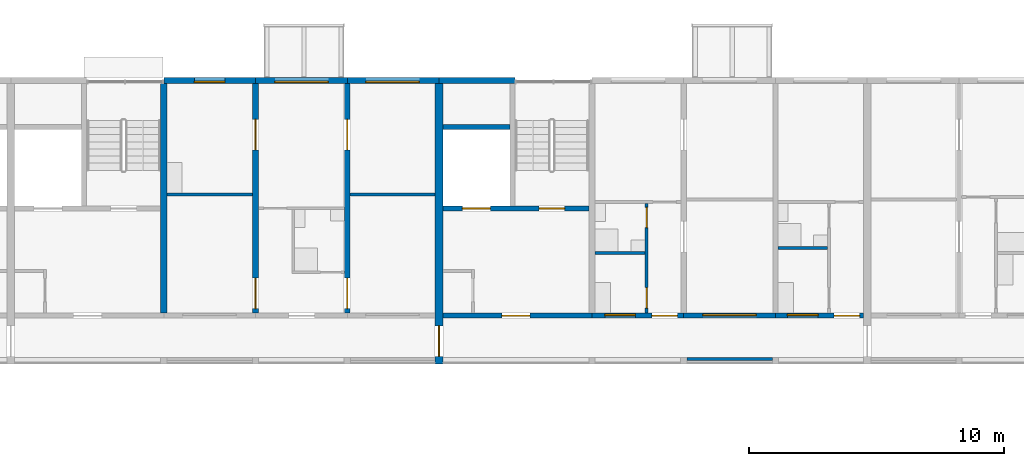
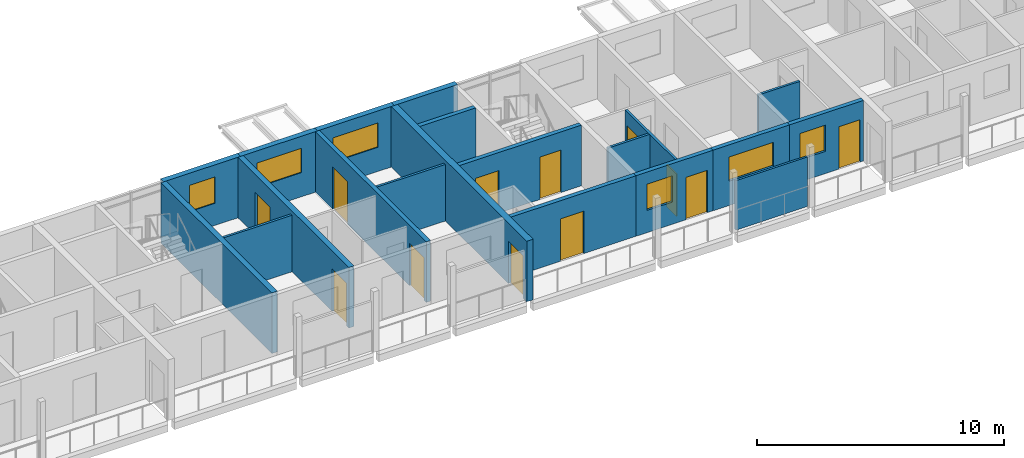
# One storey, part 62 of 122: 20 walls, 12 doors, 6 windows, 18 openings.
"""IFC4 building model written with IfcOpenShell, lengths in metres."""

from ifc_helpers import new_model, si_unit, direction, frame, frame_2d, origin, place, context, subcontext, project, spatial, rectangle, extrude, material, layer, layer_set, type_object, element, fill, save


model = new_model("IFC4")

# Units and contexts
model_context = context("Model", 3, precision=1e-05, world=origin(), true_north=direction((0.0, 1.0)))
body_context = subcontext(model_context, "Body", "Model", "MODEL_VIEW")
ifc_project = project(units=[si_unit("LENGTHUNIT", "METRE"), si_unit("AREAUNIT", "SQUARE_METRE"), si_unit("VOLUMEUNIT", "CUBIC_METRE"), si_unit("PLANEANGLEUNIT", "RADIAN"), si_unit("MASSUNIT", "GRAM", prefix="KILO")], contexts=[model_context])

# Site, building, storey
site_placement = place(None, origin())
site = spatial("IfcSite", under=ifc_project, at=site_placement, CompositionType="ELEMENT")
building_placement = place(site_placement, origin())
building = spatial("IfcBuilding", under=site, at=building_placement, Name="Ridgestep Commons", CompositionType="ELEMENT")
storey_placement = place(building_placement, frame((0.0, 0.0, 3.0)))
storey = spatial("IfcBuildingStorey", under=building, at=storey_placement, Name="L01", CompositionType="ELEMENT", Elevation=3.0)

# Wall
ifc_material_1 = material(Name="Concrete C30/37", Category="concrete")
ifc_layer_1 = layer(ifc_material_1, 0.25)
ifc_layer_set_1 = layer_set([ifc_layer_1], Name="Core cross wall 250")
wall_type_1 = type_object("IfcWallType", Name="Core cross wall 250", PredefinedType="SHEAR", material=ifc_layer_set_1)
wall_1_placement = place(storey_placement, frame((34.800048828125, 68.0, 0.0), z_axis=(0.0, 0.0, 1.0), x_axis=(0.0, 1.0, 0.0)))
element("IfcWall", 1, at=wall_1_placement, inside=storey, type_object=wall_type_1, Name="Cross wall B-01-0348", PredefinedType="SHEAR", context=body_context, shape_type="SweptSolid", body=[
    extrude(rectangle(XDim=9.0, YDim=0.25, at=frame_2d((4.5, 0.0))), origin(), (0.0, 0.0, 1.0), 3.0),
])

# Wall, opening, door
ifc_material_2 = material(Name="Concrete C30/37", Category="concrete")
ifc_layer_2 = layer(ifc_material_2, 0.199951171875)
ifc_layer_set_2 = layer_set([ifc_layer_2], Name="Core south wall 200")
wall_type_2 = type_object("IfcWallType", Name="Core south wall 200", PredefinedType="SHEAR", material=ifc_layer_set_2)
wall_2_placement = place(storey_placement, frame((45.75, 67.89990234375, 0.0), z_axis=(0.0, 0.0, 1.0), x_axis=(1.0, 0.0, 0.0)))
wall_2 = element("IfcWall", 2, at=wall_2_placement, inside=storey, type_object=wall_type_2, Name="Core south wall B3C L01", PredefinedType="SHEAR", context=body_context, shape_type="SweptSolid", body=[
    extrude(rectangle(XDim=5.85009765625, YDim=0.199951171875, at=frame_2d((2.925048828125, 0.0))), origin(), (0.0, 0.0, 1.0), 3.0),
])
opening_1_placement = place(wall_2_placement, frame((2.3125, 0.0, 0.0)))
opening_1 = element("IfcOpeningElement", 3, at=opening_1_placement, cuts=wall_2, Name="Opening B3C/01/1", PredefinedType="OPENING", context=body_context, shape_type="SweptSolid", body=[
    extrude(rectangle(XDim=1.10009765625, YDim=2.10009765625, at=frame_2d((0.550048828125, 1.050048828125))), frame((0.0, 0.10986328125, 0.0), z_axis=(0.0, -1.0, 0.0), x_axis=(1.0, 0.0, 0.0)), (0.0, 0.0, 1.0), 0.219970703125),
])
ifc_material_3 = material(Name="Steel fire door", Category="steel")
door_type_1 = type_object("IfcDoorType", Name="Lobby door 1100 x 2100 FD60", OperationType="NOTDEFINED", PredefinedType="DOOR", material=ifc_material_3)
door_1_placement = place(opening_1_placement, origin())
door_1 = element("IfcDoor", 4, at=door_1_placement, inside=storey, type_object=door_type_1, Name="Lobby door B3C/01/1", OperationType="SINGLE_SWING_LEFT", OverallHeight=2.10009765625, OverallWidth=1.10009765625, PredefinedType="DOOR", context=body_context, shape_type="SweptSolid", body=[
    extrude(rectangle(XDim=1.10009765625, YDim=2.10009765625, at=frame_2d((0.550048828125, 1.050048828125))), frame((0.0, 0.02490234375, 0.0), z_axis=(0.0, -1.0, 0.0), x_axis=(1.0, 0.0, 0.0)), (0.0, 0.0, 1.0), 0.050048828125),
])
fill(opening_1, door_1)

# Wall, openings, doors
ifc_material_4 = material(Name="Concrete C30/37", Category="concrete")
ifc_layer_3 = layer(ifc_material_4, 0.199951171875)
ifc_layer_set_3 = layer_set([ifc_layer_3], Name="Core wall 200")
wall_type_3 = type_object("IfcWallType", Name="Core wall 200", PredefinedType="SHEAR", material=ifc_layer_set_3)
wall_3_placement = place(storey_placement, frame((45.75, 72.10009765625, 0.0), z_axis=(0.0, 0.0, 1.0), x_axis=(1.0, 0.0, 0.0)))
wall_3 = element("IfcWall", 5, at=wall_3_placement, inside=storey, type_object=wall_type_3, Name="Core lobby wall B3C L01", PredefinedType="SHEAR", context=body_context, shape_type="SweptSolid", body=[
    extrude(rectangle(XDim=5.72509765625, YDim=0.199951171875, at=frame_2d((2.862548828125, 0.0))), origin(), (0.0, 0.0, 1.0), 3.0),
])
opening_2_placement = place(wall_3_placement, frame((3.77490234375, 0.0, 0.0)))
opening_2 = element("IfcOpeningElement", 6, at=opening_2_placement, cuts=wall_3, Name="Opening B3C/01/2", PredefinedType="OPENING", context=body_context, shape_type="SweptSolid", body=[
    extrude(rectangle(XDim=1.0, YDim=2.10009765625, at=frame_2d((0.5, 1.050048828125))), frame((0.0, 0.10986328125, 0.0), z_axis=(0.0, -1.0, 0.0), x_axis=(1.0, 0.0, 0.0)), (0.0, 0.0, 1.0), 0.219970703125),
])
opening_3_placement = place(wall_3_placement, frame((0.762451171875, 0.0, 0.0)))
opening_3 = element("IfcOpeningElement", 7, at=opening_3_placement, cuts=wall_3, Name="Opening B3C/01/3", PredefinedType="OPENING", context=body_context, shape_type="SweptSolid", body=[
    extrude(rectangle(XDim=1.10009765625, YDim=2.10009765625, at=frame_2d((0.550048828125, 1.050048828125))), frame((0.0, 0.10986328125, 0.0), z_axis=(0.0, -1.0, 0.0), x_axis=(1.0, 0.0, 0.0)), (0.0, 0.0, 1.0), 0.219970703125),
])
ifc_material_5 = material(Name="Stainless steel", Category="steel")
door_type_2 = type_object("IfcDoorType", Name="Lift landing door 1100 x 2100 FD60", OperationType="DOUBLE_DOOR_SLIDING", PredefinedType="DOOR", material=ifc_material_5)
door_2_placement = place(opening_3_placement, origin())
door_2 = element("IfcDoor", 8, at=door_2_placement, inside=storey, type_object=door_type_2, Name="Landing door LD B3C L01", OperationType="DOUBLE_DOOR_SLIDING", OverallHeight=2.10009765625, OverallWidth=1.10009765625, PredefinedType="DOOR", context=body_context, shape_type="SweptSolid", body=[
    extrude(rectangle(XDim=1.10009765625, YDim=2.10009765625, at=frame_2d((0.550048828125, 1.050048828125))), frame((0.0, 0.02490234375, 0.0), z_axis=(0.0, -1.0, 0.0), x_axis=(1.0, 0.0, 0.0)), (0.0, 0.0, 1.0), 0.050048828125),
])
fill(opening_3, door_2)
ifc_material_6 = material(Name="Steel fire door", Category="steel")
door_type_3 = type_object("IfcDoorType", Name="Stair door 1000 x 2100 FD60", OperationType="NOTDEFINED", PredefinedType="DOOR", material=ifc_material_6)
door_3_placement = place(opening_2_placement, origin())
door_3 = element("IfcDoor", 9, at=door_3_placement, inside=storey, type_object=door_type_3, Name="Stair door B3C/01/2", OperationType="SINGLE_SWING_RIGHT", OverallHeight=2.10009765625, OverallWidth=1.0, PredefinedType="DOOR", context=body_context, shape_type="SweptSolid", body=[
    extrude(rectangle(XDim=1.0, YDim=2.10009765625, at=frame_2d((0.5, 1.050048828125))), frame((0.0, 0.02490234375, 0.0), z_axis=(0.0, -1.0, 0.0), x_axis=(1.0, 0.0, 0.0)), (0.0, 0.0, 1.0), 0.050048828125),
])
fill(opening_2, door_3)

# Wall
wall_4_placement = place(storey_placement, frame((45.75, 75.300048828125, 0.0), z_axis=(0.0, 0.0, 1.0), x_axis=(1.0, 0.0, 0.0)))
element("IfcWall", 10, at=wall_4_placement, inside=storey, type_object=wall_type_3, Name="Core duct wall B3C L01", PredefinedType="SHEAR", context=body_context, shape_type="SweptSolid", body=[
    extrude(rectangle(XDim=2.625, YDim=0.199951171875, at=frame_2d((1.3125, 0.0))), origin(), (0.0, 0.0, 1.0), 3.0),
])

# Wall, openings, doors
ifc_material_7 = material(Name="Precast concrete C40/50", Category="concrete")
ifc_layer_4 = layer(ifc_material_7, 0.199951171875)
ifc_layer_set_4 = layer_set([ifc_layer_4], Name="Cross wall 200")
wall_type_4 = type_object("IfcWallType", Name="Cross wall 200", PredefinedType="SHEAR", material=ifc_layer_set_4)
wall_5_placement = place(storey_placement, frame((42.0, 68.0, 0.0), z_axis=(0.0, 0.0, 1.0), x_axis=(0.0, 1.0, 0.0)))
wall_5 = element("IfcWall", 11, at=wall_5_placement, inside=storey, type_object=wall_type_4, Name="Cross wall B-01-0420", PredefinedType="SHEAR", context=body_context, shape_type="SweptSolid", body=[
    extrude(rectangle(XDim=9.0, YDim=0.199951171875, at=frame_2d((4.5, 0.0))), origin(), (0.0, 0.0, 1.0), 3.0),
])
opening_4_placement = place(wall_5_placement, frame((0.175048828125, 0.0, 0.0)))
opening_4 = element("IfcOpeningElement", 12, at=opening_4_placement, cuts=wall_5, Name="Opening B2-01a/6", PredefinedType="OPENING", context=body_context, shape_type="SweptSolid", body=[
    extrude(rectangle(XDim=1.199951171875, YDim=2.10009765625, at=frame_2d((0.60009765625, 1.050048828125))), frame((0.0, 0.10986328125, 0.0), z_axis=(0.0, -1.0, 0.0), x_axis=(1.0, 0.0, 0.0)), (0.0, 0.0, 1.0), 0.219970703125),
])
opening_5_placement = place(wall_5_placement, frame((6.39990234375, 0.0, 0.0)))
opening_5 = element("IfcOpeningElement", 13, at=opening_5_placement, cuts=wall_5, Name="Opening B2-01a/7", PredefinedType="OPENING", context=body_context, shape_type="SweptSolid", body=[
    extrude(rectangle(XDim=1.199951171875, YDim=2.10009765625, at=frame_2d((0.60009765625, 1.050048828125))), frame((0.0, 0.10986328125, 0.0), z_axis=(0.0, -1.0, 0.0), x_axis=(1.0, 0.0, 0.0)), (0.0, 0.0, 1.0), 0.219970703125),
])
ifc_material_8 = material(Name="Timber door leaf", Category="wood")
door_type_4 = type_object("IfcDoorType", Name="Double door 1200 x 2100", OperationType="DOUBLE_DOOR_SINGLE_SWING", PredefinedType="DOOR", material=ifc_material_8)
door_4_placement = place(opening_4_placement, origin())
door_4 = element("IfcDoor", 14, at=door_4_placement, inside=storey, type_object=door_type_4, Name="Double door B2-01a/6", OperationType="DOUBLE_DOOR_SINGLE_SWING", OverallHeight=2.10009765625, OverallWidth=1.199951171875, PredefinedType="DOOR", context=body_context, shape_type="SweptSolid", body=[
    extrude(rectangle(XDim=1.199951171875, YDim=2.10009765625, at=frame_2d((0.60009765625, 1.050048828125))), frame((0.0, 0.02490234375, 0.0), z_axis=(0.0, -1.0, 0.0), x_axis=(1.0, 0.0, 0.0)), (0.0, 0.0, 1.0), 0.050048828125),
])
fill(opening_4, door_4)
door_5_placement = place(opening_5_placement, origin())
door_5 = element("IfcDoor", 15, at=door_5_placement, inside=storey, type_object=door_type_4, Name="Double door B2-01a/7", OperationType="DOUBLE_DOOR_SINGLE_SWING", OverallHeight=2.10009765625, OverallWidth=1.199951171875, PredefinedType="DOOR", context=body_context, shape_type="SweptSolid", body=[
    extrude(rectangle(XDim=1.199951171875, YDim=2.10009765625, at=frame_2d((0.60009765625, 1.050048828125))), frame((0.0, 0.02490234375, 0.0), z_axis=(0.0, -1.0, 0.0), x_axis=(1.0, 0.0, 0.0)), (0.0, 0.0, 1.0), 0.050048828125),
])
fill(opening_5, door_5)

ifc_material_9 = material(Name="Precast concrete C40/50", Category="concrete")
ifc_layer_5 = layer(ifc_material_9, 0.25)
ifc_layer_set_5 = layer_set([ifc_layer_5], Name="Cross wall 250")
wall_type_5 = type_object("IfcWallType", Name="Cross wall 250", PredefinedType="SHEAR", material=ifc_layer_set_5)
wall_6_placement = place(storey_placement, frame((38.39990234375, 68.0, 0.0), z_axis=(0.0, 0.0, 1.0), x_axis=(0.0, 1.0, 0.0)))
wall_6 = element("IfcWall", 16, at=wall_6_placement, inside=storey, type_object=wall_type_5, Name="Cross wall B-01-0384", PredefinedType="SHEAR", context=body_context, shape_type="SweptSolid", body=[
    extrude(rectangle(XDim=9.0, YDim=0.25, at=frame_2d((4.5, 0.0))), origin(), (0.0, 0.0, 1.0), 3.0),
])
opening_6_placement = place(wall_6_placement, frame((0.175048828125, 0.0, 0.0)))
opening_6 = element("IfcOpeningElement", 17, at=opening_6_placement, cuts=wall_6, Name="Opening B2-01a/4", PredefinedType="OPENING", context=body_context, shape_type="SweptSolid", body=[
    extrude(rectangle(XDim=1.199951171875, YDim=2.10009765625, at=frame_2d((0.60009765625, 1.050048828125))), frame((0.0, 0.135009765625, 0.0), z_axis=(0.0, -1.0, 0.0), x_axis=(1.0, 0.0, 0.0)), (0.0, 0.0, 1.0), 0.27001953125),
])
opening_7_placement = place(wall_6_placement, frame((6.39990234375, 0.0, 0.0)))
opening_7 = element("IfcOpeningElement", 18, at=opening_7_placement, cuts=wall_6, Name="Opening B2-01a/5", PredefinedType="OPENING", context=body_context, shape_type="SweptSolid", body=[
    extrude(rectangle(XDim=1.199951171875, YDim=2.10009765625, at=frame_2d((0.60009765625, 1.050048828125))), frame((0.0, 0.135009765625, 0.0), z_axis=(0.0, -1.0, 0.0), x_axis=(1.0, 0.0, 0.0)), (0.0, 0.0, 1.0), 0.27001953125),
])
door_6_placement = place(opening_6_placement, origin())
door_6 = element("IfcDoor", 19, at=door_6_placement, inside=storey, type_object=door_type_4, Name="Double door B2-01a/4", OperationType="DOUBLE_DOOR_SINGLE_SWING", OverallHeight=2.10009765625, OverallWidth=1.199951171875, PredefinedType="DOOR", context=body_context, shape_type="SweptSolid", body=[
    extrude(rectangle(XDim=1.199951171875, YDim=2.10009765625, at=frame_2d((0.60009765625, 1.050048828125))), frame((0.0, 0.02490234375, 0.0), z_axis=(0.0, -1.0, 0.0), x_axis=(1.0, 0.0, 0.0)), (0.0, 0.0, 1.0), 0.050048828125),
])
fill(opening_6, door_6)
door_7_placement = place(opening_7_placement, origin())
door_7 = element("IfcDoor", 20, at=door_7_placement, inside=storey, type_object=door_type_4, Name="Double door B2-01a/5", OperationType="DOUBLE_DOOR_SINGLE_SWING", OverallHeight=2.10009765625, OverallWidth=1.199951171875, PredefinedType="DOOR", context=body_context, shape_type="SweptSolid", body=[
    extrude(rectangle(XDim=1.199951171875, YDim=2.10009765625, at=frame_2d((0.60009765625, 1.050048828125))), frame((0.0, 0.02490234375, 0.0), z_axis=(0.0, -1.0, 0.0), x_axis=(1.0, 0.0, 0.0)), (0.0, 0.0, 1.0), 0.050048828125),
])
fill(opening_7, door_7)

# Wall, opening, door
ifc_material_10 = material(Name="Precast concrete C40/50", Category="concrete")
ifc_layer_6 = layer(ifc_material_10, 0.300048828125)
ifc_layer_set_6 = layer_set([ifc_layer_6], Name="Division wall 300")
wall_type_6 = type_object("IfcWallType", Name="Division wall 300", PredefinedType="SHEAR", material=ifc_layer_set_6)
wall_7_placement = place(storey_placement, frame((45.60009765625, 66.0, 0.0), z_axis=(0.0, 0.0, 1.0), x_axis=(0.0, 1.0, 0.0)))
wall_7 = element("IfcWall", 21, at=wall_7_placement, inside=storey, type_object=wall_type_6, Name="Cross wall B-01-0456", PredefinedType="SHEAR", context=body_context, shape_type="SweptSolid", body=[
    extrude(rectangle(XDim=11.0, YDim=0.300048828125, at=frame_2d((5.5, 0.0))), origin(), (0.0, 0.0, 1.0), 3.0),
])
opening_8_placement = place(wall_7_placement, frame((0.300048828125, 0.0, 0.0)))
opening_8 = element("IfcOpeningElement", 22, at=opening_8_placement, cuts=wall_7, Name="Opening B/01/G0456", PredefinedType="OPENING", context=body_context, shape_type="SweptSolid", body=[
    extrude(rectangle(XDim=1.199951171875, YDim=2.10009765625, at=frame_2d((0.60009765625, 1.050048828125))), frame((0.0, 0.159912109375, 0.0), z_axis=(0.0, -1.0, 0.0), x_axis=(1.0, 0.0, 0.0)), (0.0, 0.0, 1.0), 0.320068359375),
])
ifc_material_11 = material(Name="Steel fire door", Category="steel")
door_type_5 = type_object("IfcDoorType", Name="Division fire door 1200 x 2100 EI 240", OperationType="DOUBLE_DOOR_SINGLE_SWING", PredefinedType="DOOR", material=ifc_material_11)
door_8_placement = place(opening_8_placement, origin())
door_8 = element("IfcDoor", 23, at=door_8_placement, inside=storey, type_object=door_type_5, Name="Division fire door B/01/G0456", OperationType="DOUBLE_DOOR_SINGLE_SWING", OverallHeight=2.10009765625, OverallWidth=1.199951171875, PredefinedType="DOOR", context=body_context, shape_type="SweptSolid", body=[
    extrude(rectangle(XDim=1.199951171875, YDim=2.10009765625, at=frame_2d((0.60009765625, 1.050048828125))), frame((0.0, 0.02490234375, 0.0), z_axis=(0.0, -1.0, 0.0), x_axis=(1.0, 0.0, 0.0)), (0.0, 0.0, 1.0), 0.050048828125),
])
fill(opening_8, door_8)

# Wall, opening, window
ifc_material_12 = material(Name="Precast concrete C40/50", Category="concrete")
ifc_layer_7 = layer(ifc_material_12, 0.25)
ifc_layer_set_7 = layer_set([ifc_layer_7], Name="North facade panel 250")
wall_type_7 = type_object("IfcWallType", Name="North facade panel 250", PredefinedType="SOLIDWALL", material=ifc_layer_set_7)
wall_8_placement = place(storey_placement, frame((34.800048828125, 77.125, 0.0), z_axis=(0.0, 0.0, 1.0), x_axis=(1.0, 0.0, 0.0)))
wall_8 = element("IfcWall", 24, at=wall_8_placement, inside=storey, type_object=wall_type_7, Name="North panel B2T3 L01", PredefinedType="SOLIDWALL", context=body_context, shape_type="SweptSolid", body=[
    extrude(rectangle(XDim=3.599853515625, YDim=0.25, at=frame_2d((1.7998046875, 0.0))), origin(), (0.0, 0.0, 1.0), 3.0),
])
opening_9_placement = place(wall_8_placement, frame((1.199951171875, 0.0, 1.10009765625)))
opening_9 = element("IfcOpeningElement", 25, at=opening_9_placement, cuts=wall_8, Name="Opening W08", PredefinedType="OPENING", context=body_context, shape_type="SweptSolid", body=[
    extrude(rectangle(XDim=1.199951171875, YDim=1.300048828125, at=frame_2d((0.60009765625, 0.64990234375))), frame((0.0, 0.135009765625, 0.0), z_axis=(0.0, -1.0, 0.0), x_axis=(1.0, 0.0, 0.0)), (0.0, 0.0, 1.0), 0.27001953125),
])
ifc_material_13 = material(Name="Aluminium 6063-T6 and glass", Category="aluminium")
window_type_1 = type_object("IfcWindowType", Name="Flat window 1200 x 1300", PartitioningType="SINGLE_PANEL", PredefinedType="WINDOW", material=ifc_material_13)
window_1_placement = place(opening_9_placement, origin())
window_1 = element("IfcWindow", 26, at=window_1_placement, inside=storey, type_object=window_type_1, Name="Window B2-01a 2", OverallHeight=1.300048828125, OverallWidth=1.199951171875, PartitioningType="SINGLE_PANEL", PredefinedType="WINDOW", context=body_context, shape_type="SweptSolid", body=[
    extrude(rectangle(XDim=1.199951171875, YDim=1.300048828125, at=frame_2d((0.60009765625, 0.64990234375))), frame((0.0, -0.02490234375, 0.0), z_axis=(0.0, -1.0, 0.0), x_axis=(1.0, 0.0, 0.0)), (0.0, 0.0, 1.0), 0.06005859375),
])
fill(opening_9, window_1)

wall_9_placement = place(storey_placement, frame((38.39990234375, 77.125, 0.0), z_axis=(0.0, 0.0, 1.0), x_axis=(1.0, 0.0, 0.0)))
wall_9 = element("IfcWall", 27, at=wall_9_placement, inside=storey, type_object=wall_type_7, Name="North panel B2T2 L01", PredefinedType="SOLIDWALL", context=body_context, shape_type="SweptSolid", body=[
    extrude(rectangle(XDim=3.60009765625, YDim=0.25, at=frame_2d((1.800048828125, 0.0))), origin(), (0.0, 0.0, 1.0), 3.0),
])
opening_10_placement = place(wall_9_placement, frame((0.762451171875, 0.0, 1.199951171875)))
opening_10 = element("IfcOpeningElement", 28, at=opening_10_placement, cuts=wall_9, Name="Opening W22", PredefinedType="OPENING", context=body_context, shape_type="SweptSolid", body=[
    extrude(rectangle(XDim=2.10009765625, YDim=1.199951171875, at=frame_2d((1.050048828125, 0.60009765625))), frame((0.0, 0.135009765625, 0.0), z_axis=(0.0, -1.0, 0.0), x_axis=(1.0, 0.0, 0.0)), (0.0, 0.0, 1.0), 0.27001953125),
])
ifc_material_14 = material(Name="Aluminium 6063-T6 and glass", Category="aluminium")
window_type_2 = type_object("IfcWindowType", Name="Flat window 2100 x 1200", PartitioningType="DOUBLE_PANEL_VERTICAL", PredefinedType="WINDOW", material=ifc_material_14)
window_2_placement = place(opening_10_placement, origin())
window_2 = element("IfcWindow", 29, at=window_2_placement, inside=storey, type_object=window_type_2, Name="Window B2-01a 5", OverallHeight=1.199951171875, OverallWidth=2.10009765625, PartitioningType="SINGLE_PANEL", PredefinedType="WINDOW", context=body_context, shape_type="SweptSolid", body=[
    extrude(rectangle(XDim=2.10009765625, YDim=1.199951171875, at=frame_2d((1.050048828125, 0.60009765625))), frame((0.0, -0.02490234375, 0.0), z_axis=(0.0, -1.0, 0.0), x_axis=(1.0, 0.0, 0.0)), (0.0, 0.0, 1.0), 0.06005859375),
])
fill(opening_10, window_2)

wall_10_placement = place(storey_placement, frame((42.0, 77.125, 0.0), z_axis=(0.0, 0.0, 1.0), x_axis=(1.0, 0.0, 0.0)))
wall_10 = element("IfcWall", 30, at=wall_10_placement, inside=storey, type_object=wall_type_7, Name="North panel B2T1 L01", PredefinedType="SOLIDWALL", context=body_context, shape_type="SweptSolid", body=[
    extrude(rectangle(XDim=3.60009765625, YDim=0.25, at=frame_2d((1.800048828125, 0.0))), origin(), (0.0, 0.0, 1.0), 3.0),
])
opening_11_placement = place(wall_10_placement, frame((0.72509765625, 0.0, 1.199951171875)))
opening_11 = element("IfcOpeningElement", 31, at=opening_11_placement, cuts=wall_10, Name="Opening W22", PredefinedType="OPENING", context=body_context, shape_type="SweptSolid", body=[
    extrude(rectangle(XDim=2.10009765625, YDim=1.199951171875, at=frame_2d((1.050048828125, 0.60009765625))), frame((0.0, 0.135009765625, 0.0), z_axis=(0.0, -1.0, 0.0), x_axis=(1.0, 0.0, 0.0)), (0.0, 0.0, 1.0), 0.27001953125),
])
window_3_placement = place(opening_11_placement, origin())
window_3 = element("IfcWindow", 32, at=window_3_placement, inside=storey, type_object=window_type_2, Name="Window B2-01a 4", OverallHeight=1.199951171875, OverallWidth=2.10009765625, PartitioningType="SINGLE_PANEL", PredefinedType="WINDOW", context=body_context, shape_type="SweptSolid", body=[
    extrude(rectangle(XDim=2.10009765625, YDim=1.199951171875, at=frame_2d((1.050048828125, 0.60009765625))), frame((0.0, -0.02490234375, 0.0), z_axis=(0.0, -1.0, 0.0), x_axis=(1.0, 0.0, 0.0)), (0.0, 0.0, 1.0), 0.06005859375),
])
fill(opening_11, window_3)

# Walls
wall_11_placement = place(storey_placement, frame((45.60009765625, 77.125, 0.0), z_axis=(0.0, 0.0, 1.0), x_axis=(1.0, 0.0, 0.0)))
element("IfcWall", 33, at=wall_11_placement, inside=storey, type_object=wall_type_7, Name="North panel B3C L01", PredefinedType="SOLIDWALL", context=body_context, shape_type="SweptSolid", body=[
    extrude(rectangle(XDim=2.974853515625, YDim=0.25, at=frame_2d((1.4873046875, 0.0))), origin(), (0.0, 0.0, 1.0), 3.0),
])
ifc_material_15 = material(Name="Common brick 110 mm", Category="masonry")
ifc_layer_8 = layer(ifc_material_15, 0.110107421875)
ifc_layer_set_8 = layer_set([ifc_layer_8], Name="Partition 110")
wall_type_8 = type_object("IfcWallType", Name="Partition 110", PredefinedType="PARTITIONING", material=ifc_layer_set_8)
for number, where, z_axis, x_axis, name in (
    (34, (34.925048828125, 72.655029296875, 0.0), (0.0, 0.0, 1.0), (1.0, 0.0, 0.0), "Partition B2-01a"),
    (35, (42.10009765625, 72.655029296875, 0.0), (0.0, 0.0, 1.0), (1.0, 0.0, 0.0), "Partition B2-01a"),
):
    element("IfcWall", number, at=place(storey_placement, frame(where, z_axis=z_axis, x_axis=x_axis)), inside=storey, type_object=wall_type_8, Name=name, PredefinedType="PARTITIONING", context=body_context, shape_type="SweptSolid", body=[
        extrude(rectangle(XDim=3.349853515625, YDim=0.110107421875, at=frame_2d((1.6748046875, 0.0))), origin(), (0.0, 0.0, 1.0), 2.800048828125),
    ])
wall_12_placement = place(storey_placement, frame((58.89990234375, 70.554931640625, 0.0), z_axis=(0.0, 0.0, 1.0), x_axis=(1.0, 0.0, 0.0)))
element("IfcWall", 36, at=wall_12_placement, inside=storey, type_object=wall_type_8, Name="Partition B3-01a", PredefinedType="PARTITIONING", context=body_context, shape_type="SweptSolid", body=[
    extrude(rectangle(XDim=1.940185546875, YDim=0.110107421875, at=frame_2d((0.97021484375, 0.0))), origin(), (0.0, 0.0, 1.0), 2.800048828125),
])
wall_13_placement = place(storey_placement, frame((51.72509765625, 70.35498046875, 0.0), z_axis=(0.0, 0.0, 1.0), x_axis=(1.0, 0.0, 0.0)))
element("IfcWall", 37, at=wall_13_placement, inside=storey, type_object=wall_type_8, Name="Partition B3-01b", PredefinedType="PARTITIONING", context=body_context, shape_type="SweptSolid", body=[
    extrude(rectangle(XDim=1.96484375, YDim=0.110107421875, at=frame_2d((0.982421875, 0.0))), origin(), (0.0, 0.0, 1.0), 2.800048828125),
])

# Wall, openings, doors
wall_14_placement = place(storey_placement, frame((53.7451171875, 68.0, 0.0), z_axis=(0.0, 0.0, 1.0), x_axis=(0.0, 1.0, 0.0)))
wall_14 = element("IfcWall", 38, at=wall_14_placement, inside=storey, type_object=wall_type_8, Name="Partition B3-01b", PredefinedType="PARTITIONING", context=body_context, shape_type="SweptSolid", body=[
    extrude(rectangle(XDim=4.300048828125, YDim=0.110107421875, at=frame_2d((2.14990234375, 0.0))), origin(), (0.0, 0.0, 1.0), 2.800048828125),
])
opening_12_placement = place(wall_14_placement, frame((0.199951171875, 0.0, 0.0)))
opening_12 = element("IfcOpeningElement", 39, at=opening_12_placement, cuts=wall_14, Name="Opening B3-01b/2", PredefinedType="OPENING", context=body_context, shape_type="SweptSolid", body=[
    extrude(rectangle(XDim=0.800048828125, YDim=2.10009765625, at=frame_2d((0.39990234375, 1.050048828125))), frame((0.0, 0.06494140625, 0.0), z_axis=(0.0, -1.0, 0.0), x_axis=(1.0, 0.0, 0.0)), (0.0, 0.0, 1.0), 0.130126953125),
])
opening_13_placement = place(wall_14_placement, frame((3.35009765625, 0.0, 0.0)))
opening_13 = element("IfcOpeningElement", 40, at=opening_13_placement, cuts=wall_14, Name="Opening B3-01b/3", PredefinedType="OPENING", context=body_context, shape_type="SweptSolid", body=[
    extrude(rectangle(XDim=0.800048828125, YDim=2.10009765625, at=frame_2d((0.39990234375, 1.050048828125))), frame((0.0, 0.06494140625, 0.0), z_axis=(0.0, -1.0, 0.0), x_axis=(1.0, 0.0, 0.0)), (0.0, 0.0, 1.0), 0.130126953125),
])
ifc_material_16 = material(Name="Timber door leaf", Category="wood")
door_type_6 = type_object("IfcDoorType", Name="Internal door 800 x 2100", OperationType="NOTDEFINED", PredefinedType="DOOR", material=ifc_material_16)
door_9_placement = place(opening_12_placement, origin())
door_9 = element("IfcDoor", 41, at=door_9_placement, inside=storey, type_object=door_type_6, Name="Internal door B3-01b/2", OperationType="SINGLE_SWING_LEFT", OverallHeight=2.10009765625, OverallWidth=0.800048828125, PredefinedType="DOOR", context=body_context, shape_type="SweptSolid", body=[
    extrude(rectangle(XDim=0.800048828125, YDim=2.10009765625, at=frame_2d((0.39990234375, 1.050048828125))), frame((0.0, 0.02490234375, 0.0), z_axis=(0.0, -1.0, 0.0), x_axis=(1.0, 0.0, 0.0)), (0.0, 0.0, 1.0), 0.050048828125),
])
fill(opening_12, door_9)
door_10_placement = place(opening_13_placement, origin())
door_10 = element("IfcDoor", 42, at=door_10_placement, inside=storey, type_object=door_type_6, Name="Internal door B3-01b/3", OperationType="SINGLE_SWING_RIGHT", OverallHeight=2.10009765625, OverallWidth=0.800048828125, PredefinedType="DOOR", context=body_context, shape_type="SweptSolid", body=[
    extrude(rectangle(XDim=0.800048828125, YDim=2.10009765625, at=frame_2d((0.39990234375, 1.050048828125))), frame((0.0, 0.02490234375, 0.0), z_axis=(0.0, -1.0, 0.0), x_axis=(1.0, 0.0, 0.0)), (0.0, 0.0, 1.0), 0.050048828125),
])
fill(opening_13, door_10)

# Wall
ifc_material_17 = material(Name="Precast concrete C30/37", Category="concrete")
ifc_layer_9 = layer(ifc_material_17, 0.10009765625)
ifc_layer_set_9 = layer_set([ifc_layer_9], Name="Perforated gallery screen 3350 x 2450 x 100")
wall_type_9 = type_object("IfcWallType", Name="Perforated gallery screen 3350 x 2450 x 100", PredefinedType="SOLIDWALL", material=ifc_layer_set_9)
wall_15_placement = place(storey_placement, frame((55.324951171875, 66.199951171875, 0.0), z_axis=(0.0, 0.0, 1.0), x_axis=(1.0, 0.0, 0.0)))
element("IfcWall", 43, at=wall_15_placement, inside=storey, type_object=wall_type_9, Name="Gallery screen B3T2 01", PredefinedType="SOLIDWALL", context=body_context, shape_type="SweptSolid", body=[
    extrude(rectangle(XDim=3.35009765625, YDim=0.10009765625, at=frame_2d((1.675048828125, 0.0))), origin(), (0.0, 0.0, 1.0), 2.449951171875),
])

# Wall, openings, door, window
ifc_material_18 = material(Name="Precast concrete C40/50", Category="concrete")
ifc_layer_10 = layer(ifc_material_18, 0.199951171875)
ifc_layer_set_10 = layer_set([ifc_layer_10], Name="South facade panel 200")
wall_type_10 = type_object("IfcWallType", Name="South facade panel 200", PredefinedType="SOLIDWALL", material=ifc_layer_set_10)
wall_16_placement = place(storey_placement, frame((51.60009765625, 67.89990234375, 0.0), z_axis=(0.0, 0.0, 1.0), x_axis=(1.0, 0.0, 0.0)))
wall_16 = element("IfcWall", 44, at=wall_16_placement, inside=storey, type_object=wall_type_10, Name="South panel B3T3 L01", PredefinedType="SOLIDWALL", context=body_context, shape_type="SweptSolid", body=[
    extrude(rectangle(XDim=3.599853515625, YDim=0.199951171875, at=frame_2d((1.7998046875, 0.0))), origin(), (0.0, 0.0, 1.0), 3.0),
])
opening_14_placement = place(wall_16_placement, frame((0.507568359375, 0.0, 1.10009765625)))
opening_14 = element("IfcOpeningElement", 45, at=opening_14_placement, cuts=wall_16, Name="Opening W08", PredefinedType="OPENING", context=body_context, shape_type="SweptSolid", body=[
    extrude(rectangle(XDim=1.199951171875, YDim=1.300048828125, at=frame_2d((0.60009765625, 0.64990234375))), frame((0.0, 0.10986328125, 0.0), z_axis=(0.0, -1.0, 0.0), x_axis=(1.0, 0.0, 0.0)), (0.0, 0.0, 1.0), 0.219970703125),
])
opening_15_placement = place(wall_16_placement, frame((2.35009765625, 0.0, 0.0)))
opening_15 = element("IfcOpeningElement", 46, at=opening_15_placement, cuts=wall_16, Name="Opening B3-01b/1", PredefinedType="OPENING", context=body_context, shape_type="SweptSolid", body=[
    extrude(rectangle(XDim=1.0, YDim=2.10009765625, at=frame_2d((0.5, 1.050048828125))), frame((0.0, 0.10986328125, 0.0), z_axis=(0.0, -1.0, 0.0), x_axis=(1.0, 0.0, 0.0)), (0.0, 0.0, 1.0), 0.219970703125),
])
ifc_material_19 = material(Name="Timber door leaf", Category="wood")
door_type_7 = type_object("IfcDoorType", Name="Flat entrance door 1000 x 2100 FD30S", OperationType="NOTDEFINED", PredefinedType="DOOR", material=ifc_material_19)
door_11_placement = place(opening_15_placement, origin())
door_11 = element("IfcDoor", 47, at=door_11_placement, inside=storey, type_object=door_type_7, Name="Flat entrance door B3-01b/1", OperationType="SINGLE_SWING_RIGHT", OverallHeight=2.10009765625, OverallWidth=1.0, PredefinedType="DOOR", context=body_context, shape_type="SweptSolid", body=[
    extrude(rectangle(XDim=1.0, YDim=2.10009765625, at=frame_2d((0.5, 1.050048828125))), frame((0.0, 0.02490234375, 0.0), z_axis=(0.0, -1.0, 0.0), x_axis=(1.0, 0.0, 0.0)), (0.0, 0.0, 1.0), 0.050048828125),
])
fill(opening_15, door_11)
window_4_placement = place(opening_14_placement, origin())
window_4 = element("IfcWindow", 48, at=window_4_placement, inside=storey, type_object=window_type_1, Name="Window B3-01b 3", OverallHeight=1.300048828125, OverallWidth=1.199951171875, PartitioningType="SINGLE_PANEL", PredefinedType="WINDOW", context=body_context, shape_type="SweptSolid", body=[
    extrude(rectangle(XDim=1.199951171875, YDim=1.300048828125, at=frame_2d((0.60009765625, 0.64990234375))), frame((0.0, 0.06005859375, 0.0), z_axis=(0.0, -1.0, 0.0), x_axis=(1.0, 0.0, 0.0)), (0.0, 0.0, 1.0), 0.06005859375),
])
fill(opening_14, window_4)

# Wall, opening, window
wall_17_placement = place(storey_placement, frame((55.199951171875, 67.89990234375, 0.0), z_axis=(0.0, 0.0, 1.0), x_axis=(1.0, 0.0, 0.0)))
wall_17 = element("IfcWall", 49, at=wall_17_placement, inside=storey, type_object=wall_type_10, Name="South panel B3T2 L01", PredefinedType="SOLIDWALL", context=body_context, shape_type="SweptSolid", body=[
    extrude(rectangle(XDim=3.60009765625, YDim=0.199951171875, at=frame_2d((1.800048828125, 0.0))), origin(), (0.0, 0.0, 1.0), 3.0),
])
opening_16_placement = place(wall_17_placement, frame((0.75, 0.0, 1.199951171875)))
opening_16 = element("IfcOpeningElement", 50, at=opening_16_placement, cuts=wall_17, Name="Opening W22", PredefinedType="OPENING", context=body_context, shape_type="SweptSolid", body=[
    extrude(rectangle(XDim=2.10009765625, YDim=1.199951171875, at=frame_2d((1.050048828125, 0.60009765625))), frame((0.0, 0.10986328125, 0.0), z_axis=(0.0, -1.0, 0.0), x_axis=(1.0, 0.0, 0.0)), (0.0, 0.0, 1.0), 0.219970703125),
])
window_5_placement = place(opening_16_placement, origin())
window_5 = element("IfcWindow", 51, at=window_5_placement, inside=storey, type_object=window_type_2, Name="Window B3-01b 1", OverallHeight=1.199951171875, OverallWidth=2.10009765625, PartitioningType="SINGLE_PANEL", PredefinedType="WINDOW", context=body_context, shape_type="SweptSolid", body=[
    extrude(rectangle(XDim=2.10009765625, YDim=1.199951171875, at=frame_2d((1.050048828125, 0.60009765625))), frame((0.0, 0.06005859375, 0.0), z_axis=(0.0, -1.0, 0.0), x_axis=(1.0, 0.0, 0.0)), (0.0, 0.0, 1.0), 0.06005859375),
])
fill(opening_16, window_5)

# Wall, openings, door, window
wall_18_placement = place(storey_placement, frame((58.800048828125, 67.89990234375, 0.0), z_axis=(0.0, 0.0, 1.0), x_axis=(1.0, 0.0, 0.0)))
wall_18 = element("IfcWall", 52, at=wall_18_placement, inside=storey, type_object=wall_type_10, Name="South panel B3T1 L01", PredefinedType="SOLIDWALL", context=body_context, shape_type="SweptSolid", body=[
    extrude(rectangle(XDim=3.449951171875, YDim=0.199951171875, at=frame_2d((1.72509765625, 0.0))), origin(), (0.0, 0.0, 1.0), 3.0),
])
opening_17_placement = place(wall_18_placement, frame((0.469970703125, 0.0, 1.10009765625)))
opening_17 = element("IfcOpeningElement", 53, at=opening_17_placement, cuts=wall_18, Name="Opening W08", PredefinedType="OPENING", context=body_context, shape_type="SweptSolid", body=[
    extrude(rectangle(XDim=1.199951171875, YDim=1.300048828125, at=frame_2d((0.60009765625, 0.64990234375))), frame((0.0, 0.10986328125, 0.0), z_axis=(0.0, -1.0, 0.0), x_axis=(1.0, 0.0, 0.0)), (0.0, 0.0, 1.0), 0.219970703125),
])
opening_18_placement = place(wall_18_placement, frame((2.300048828125, 0.0, 0.0)))
opening_18 = element("IfcOpeningElement", 54, at=opening_18_placement, cuts=wall_18, Name="Opening B3-01a/1", PredefinedType="OPENING", context=body_context, shape_type="SweptSolid", body=[
    extrude(rectangle(XDim=1.0, YDim=2.10009765625, at=frame_2d((0.5, 1.050048828125))), frame((0.0, 0.10986328125, 0.0), z_axis=(0.0, -1.0, 0.0), x_axis=(1.0, 0.0, 0.0)), (0.0, 0.0, 1.0), 0.219970703125),
])
door_12_placement = place(opening_18_placement, origin())
door_12 = element("IfcDoor", 55, at=door_12_placement, inside=storey, type_object=door_type_7, Name="Flat entrance door B3-01a/1", OperationType="SINGLE_SWING_RIGHT", OverallHeight=2.10009765625, OverallWidth=1.0, PredefinedType="DOOR", context=body_context, shape_type="SweptSolid", body=[
    extrude(rectangle(XDim=1.0, YDim=2.10009765625, at=frame_2d((0.5, 1.050048828125))), frame((0.0, 0.02490234375, 0.0), z_axis=(0.0, -1.0, 0.0), x_axis=(1.0, 0.0, 0.0)), (0.0, 0.0, 1.0), 0.050048828125),
])
fill(opening_18, door_12)
window_6_placement = place(opening_17_placement, origin())
window_6 = element("IfcWindow", 56, at=window_6_placement, inside=storey, type_object=window_type_1, Name="Window B3-01a 1", OverallHeight=1.300048828125, OverallWidth=1.199951171875, PartitioningType="SINGLE_PANEL", PredefinedType="WINDOW", context=body_context, shape_type="SweptSolid", body=[
    extrude(rectangle(XDim=1.199951171875, YDim=1.300048828125, at=frame_2d((0.60009765625, 0.64990234375))), frame((0.0, 0.06005859375, 0.0), z_axis=(0.0, -1.0, 0.0), x_axis=(1.0, 0.0, 0.0)), (0.0, 0.0, 1.0), 0.06005859375),
])
fill(opening_17, window_6)

save(model, "model.ifc")
